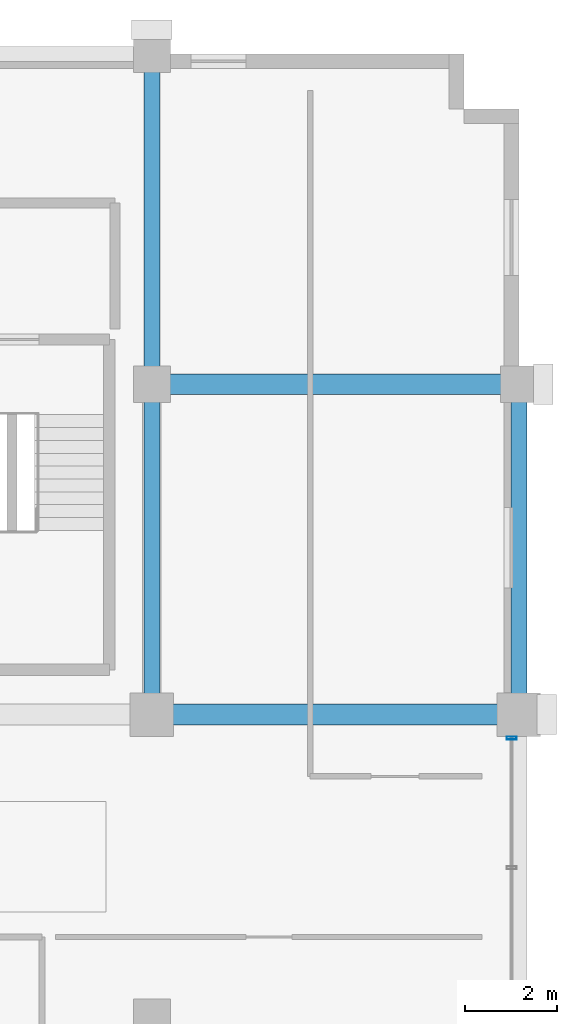
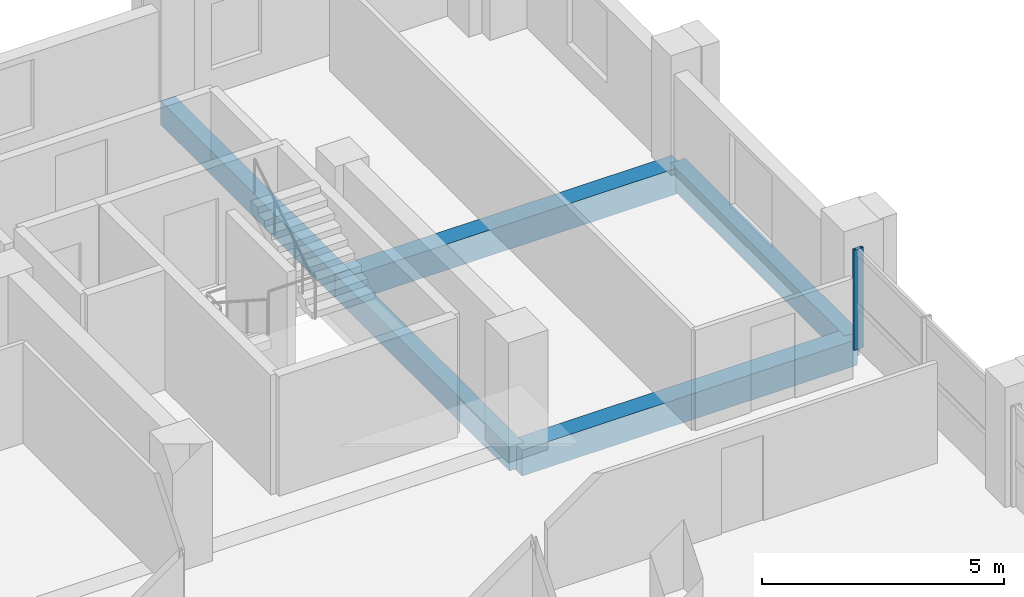
# One storey, part 16 of 23: 5 beams, 1 member, 1 element without a shape of its own.
"""IFC4 building model written with IfcOpenShell, lengths in metres."""

from ifc_helpers import new_model, si_unit, direction, frame, origin, origin_2d, place, context, subcontext, project, spatial, rectangle, hollow_rectangle, extrude, material, material_profile, profile_set, type_object, element, aggregate, save


model = new_model("IFC4")

# Units and contexts
model_context = context("Model", 3, precision=1e-05, world=origin(), true_north=direction((0.0, 1.0)))
body_context = subcontext(model_context, "Body", "Model", "MODEL_VIEW")
ifc_project = project(units=[si_unit("LENGTHUNIT", "METRE"), si_unit("AREAUNIT", "SQUARE_METRE"), si_unit("VOLUMEUNIT", "CUBIC_METRE"), si_unit("PLANEANGLEUNIT", "RADIAN"), si_unit("MASSUNIT", "GRAM", prefix="KILO")], contexts=[model_context])

# Site, building, storey
site_placement = place(None, origin())
site = spatial("IfcSite", under=ifc_project, at=site_placement, CompositionType="ELEMENT")
building_placement = place(site_placement, origin())
building = spatial("IfcBuilding", under=site, at=building_placement, Name="Akrevak Sports Hall", CompositionType="ELEMENT")
storey_placement = place(building_placement, frame((0.0, 0.0, 47.050048828125)))
storey = spatial("IfcBuildingStorey", under=building, at=storey_placement, Name="L11", CompositionType="ELEMENT", Elevation=47.050048828125)

# Curtain wall, member
ifc_material_1 = material(Name="Anodized Bronze Aluminium & Low-E Glass", Category="aluminium")
curtain_wall_type = type_object("IfcCurtainWallType", Name="ARC-CW-TWR-56x30", PredefinedType="NOTDEFINED", material=ifc_material_1)
curtain_wall_placement = place(storey_placement, origin())
curtain_wall = element("IfcCurtainWall", 1, at=curtain_wall_placement, inside=storey, type_object=curtain_wall_type, Name="Curtain Wall CW-L11-E14", PredefinedType="NOTDEFINED")
ifc_material_2 = material(Name="Anodized Bronze Aluminium", Category="aluminium")
ifc_material_profile_1 = material_profile(ifc_material_2, hollow_rectangle(XDim=0.06494140625, YDim=0.219970703125, WallThickness=0.00439453125, at=origin_2d()), Name="CWM 65x220", Category="aluminium")
ifc_profile_set_1 = profile_set([ifc_material_profile_1], Name="Anodized Bronze Aluminium")
member_type = type_object("IfcMemberType", Name="ARC-CWM-70x160", PredefinedType="MULLION", material=ifc_profile_set_1)
member_placement = place(storey_placement, frame((107.840087890625, 54.68505859375, 0.0), z_axis=(0.0, 0.0, 1.0), x_axis=(0.0, 1.0, 0.0)))
member = element("IfcMember", 2, at=member_placement, type_object=member_type, Name="Curtain Wall Mullion CW-L11-E14-M3", PredefinedType="MULLION", context=body_context, shape_type="SweptSolid", body=[
    extrude(hollow_rectangle(XDim=0.06494140625, YDim=0.219970703125, WallThickness=0.00439453125, at=origin_2d()), origin(), (0.0, 0.0, 1.0), 2.530029296875),
])
aggregate(curtain_wall, [member])

# Beams
ifc_material_3 = material(Name="Concrete C40/50", Category="concrete")
ifc_material_profile_2 = material_profile(ifc_material_3, rectangle(XDim=0.35009765625, YDim=0.60009765625, at=origin_2d()), Name="BM 350x600", Category="concrete")
ifc_profile_set_2 = profile_set([ifc_material_profile_2], Name="Concrete C40/50")
beam_type_1 = type_object("IfcBeamType", Name="STR-BM-RC350x600", PredefinedType="BEAM", material=ifc_profile_set_2)
beam_1_placement = place(storey_placement, frame((100.0, 55.199951171875, -0.300048828125), z_axis=(0.0, 1.0, 0.0), x_axis=(-1.0, 0.0, 0.0)))
element("IfcBeam", 3, at=beam_1_placement, inside=storey, type_object=beam_type_1, Name="Girder 14/I-J (L11)", PredefinedType="BEAM", context=body_context, shape_type="SweptSolid", body=[
    extrude(rectangle(XDim=0.35009765625, YDim=0.60009765625, at=origin_2d()), origin(), (0.0, 0.0, 1.0), 7.199951171875),
])
beam_2_placement = place(storey_placement, frame((100.0, 62.39990234375, -0.300048828125), z_axis=(0.0, 1.0, 0.0), x_axis=(-1.0, 0.0, 0.0)))
element("IfcBeam", 4, at=beam_2_placement, inside=storey, type_object=beam_type_1, Name="Girder 14/J-K (L11)", PredefinedType="BEAM", context=body_context, shape_type="SweptSolid", body=[
    extrude(rectangle(XDim=0.35009765625, YDim=0.60009765625, at=origin_2d()), origin(), (0.0, 0.0, 1.0), 7.2001953125),
])
beam_3_placement = place(storey_placement, frame((108.0, 55.199951171875, -0.300048828125), z_axis=(0.0, 1.0, 0.0), x_axis=(-1.0, 0.0, 0.0)))
element("IfcBeam", 5, at=beam_3_placement, inside=storey, type_object=beam_type_1, Name="Girder 15/I-J (L11)", PredefinedType="BEAM", context=body_context, shape_type="SweptSolid", body=[
    extrude(rectangle(XDim=0.35009765625, YDim=0.60009765625, at=origin_2d()), origin(), (0.0, 0.0, 1.0), 7.199951171875),
])
ifc_material_profile_3 = material_profile(ifc_material_3, rectangle(XDim=0.449951171875, YDim=0.64990234375, at=origin_2d()), Name="BM 450x650", Category="concrete")
ifc_profile_set_3 = profile_set([ifc_material_profile_3], Name="Concrete C40/50")
beam_type_2 = type_object("IfcBeamType", Name="STR-BM-RC450x650", PredefinedType="BEAM", material=ifc_profile_set_3)
for number, where, z_axis, x_axis, name in (
    (6, (100.0, 55.199951171875, -0.324951171875), (1.0, 0.0, 0.0), (0.0, 1.0, 0.0), "Girder I/14-15 (L11)"),
    (7, (100.0, 62.39990234375, -0.324951171875), (1.0, 0.0, 0.0), (0.0, 1.0, 0.0), "Girder J/14-15 (L11)"),
):
    element("IfcBeam", number, at=place(storey_placement, frame(where, z_axis=z_axis, x_axis=x_axis)), inside=storey, type_object=beam_type_2, Name=name, PredefinedType="BEAM", context=body_context, shape_type="SweptSolid", body=[
        extrude(rectangle(XDim=0.449951171875, YDim=0.64990234375, at=origin_2d()), origin(), (0.0, 0.0, 1.0), 8.0),
    ])

save(model, "model.ifc")
